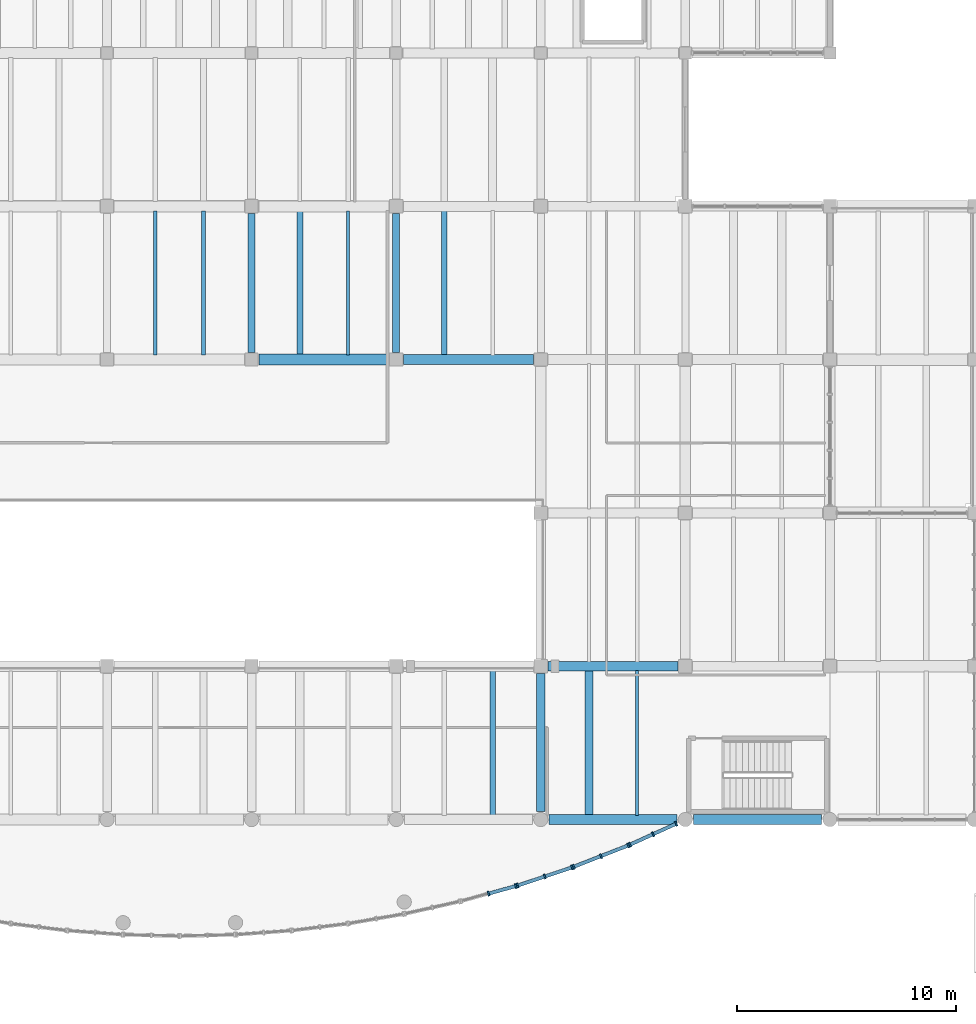
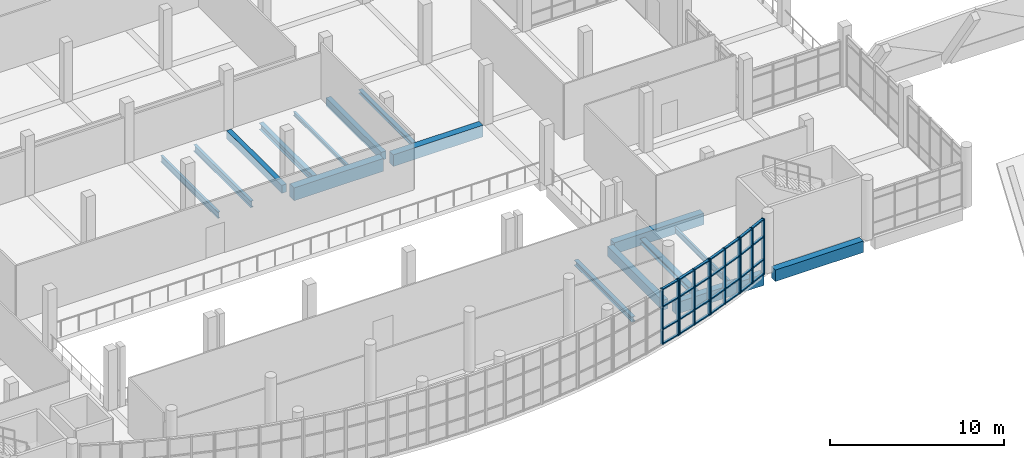
# One storey, part 13 of 67: 39 members, 16 beams, 4 elements without a shape of their own.
"""IFC4 building model written with IfcOpenShell, lengths in metres."""

from ifc_helpers import new_model, si_unit, direction, frame, origin, origin_2d, place, context, subcontext, project, spatial, rectangle, i_section, extrude, material, material_profile, profile_set, type_object, element, aggregate, save


model = new_model("IFC4")

# Units and contexts
model_context = context("Model", 3, precision=1e-05, world=origin(), true_north=direction((0.0, 1.0)))
body_context = subcontext(model_context, "Body", "Model", "MODEL_VIEW")
ifc_project = project(units=[si_unit("LENGTHUNIT", "METRE"), si_unit("AREAUNIT", "SQUARE_METRE"), si_unit("VOLUMEUNIT", "CUBIC_METRE"), si_unit("PLANEANGLEUNIT", "RADIAN"), si_unit("MASSUNIT", "GRAM", prefix="KILO")], contexts=[model_context])

# Site, building, storey
site_placement = place(None, origin())
site = spatial("IfcSite", under=ifc_project, at=site_placement, CompositionType="ELEMENT")
building_placement = place(site_placement, origin())
building = spatial("IfcBuilding", under=site, at=building_placement, Name="Ciguamira Faculty of Natural Sciences", CompositionType="ELEMENT")
storey_placement = place(building_placement, frame((0.0, 0.0, 8.39990234375)))
storey = spatial("IfcBuildingStorey", under=building, at=storey_placement, Name="L02", CompositionType="ELEMENT", Elevation=8.39990234375)

# Curtain wall, members
ifc_material_1 = material(Name="Anodized aluminium curtain wall", Category="aluminium")
curtain_wall_type_1 = type_object("IfcCurtainWallType", Name="CurtainWall_CW-08", PredefinedType="USERDEFINED", material=ifc_material_1)
curtain_wall_1_placement = place(storey_placement, origin())
curtain_wall_1 = element("IfcCurtainWall", 1, at=curtain_wall_1_placement, inside=storey, type_object=curtain_wall_type_1, Name="L02 south gallery curved curtain wall 15", ObjectType="UNITISED CURTAIN WALL", PredefinedType="USERDEFINED")
ifc_material_2 = material(Name="Anodized aluminium mullion", Category="aluminium")
ifc_material_profile_1 = material_profile(ifc_material_2, rectangle(XDim=0.080078125, YDim=0.219970703125, at=origin_2d()), Name="ALU-MUL-80X220")
ifc_profile_set_1 = profile_set([ifc_material_profile_1], Name="Anodized aluminium mullion")
member_type_1 = type_object("IfcMemberType", Name="CWMullion_CWM-03", PredefinedType="MULLION", material=ifc_profile_set_1)
member_1_placement = place(storey_placement, frame((101.11669921875, 6.618408203125, 0.0), z_axis=(0.0, 0.0, 1.0), x_axis=(0.963573286652, 0.267444426472, 0.0)))
member_1 = element("IfcMember", 2, at=member_1_placement, type_object=member_type_1, Name="CW-08 mullion 2", PredefinedType="MULLION", context=body_context, shape_type="SweptSolid", body=[
    extrude(rectangle(XDim=0.080078125, YDim=0.219970703125, at=origin_2d()), origin(), (0.0, 0.0, 1.0), 3.900146484375),
])
member_2_placement = place(storey_placement, frame((102.361572265625, 6.9638671875, 0.0), z_axis=(0.0, 0.0, 1.0), x_axis=(0.963573286652, 0.267444426472, 0.0)))
member_2 = element("IfcMember", 3, at=member_2_placement, type_object=member_type_1, Name="CW-08 mullion 3", PredefinedType="MULLION", context=body_context, shape_type="SweptSolid", body=[
    extrude(rectangle(XDim=0.080078125, YDim=0.219970703125, at=origin_2d()), origin(), (0.0, 0.0, 1.0), 3.900146484375),
])

curtain_wall_type_2 = type_object("IfcCurtainWallType", Name="CurtainWall_CW-09", PredefinedType="USERDEFINED", material=ifc_material_1)
curtain_wall_2_placement = place(storey_placement, origin())
curtain_wall_2 = element("IfcCurtainWall", 4, at=curtain_wall_2_placement, inside=storey, type_object=curtain_wall_type_2, Name="L02 south gallery curved curtain wall 16", ObjectType="UNITISED CURTAIN WALL", PredefinedType="USERDEFINED")
member_3_placement = place(storey_placement, frame((102.43798828125, 6.987060546875, 0.0), z_axis=(0.0, 0.0, 1.0), x_axis=(0.948735033862, 0.316072516242, 0.0)))
member_3 = element("IfcMember", 5, at=member_3_placement, type_object=member_type_1, Name="CW-09 mullion 1", PredefinedType="MULLION", context=body_context, shape_type="SweptSolid", body=[
    extrude(rectangle(XDim=0.080078125, YDim=0.219970703125, at=origin_2d()), origin(), (0.0, 0.0, 1.0), 3.900146484375),
])
member_4_placement = place(storey_placement, frame((103.683349609375, 7.402099609375, 0.0), z_axis=(0.0, 0.0, 1.0), x_axis=(0.948735033862, 0.316072516242, 0.0)))
member_4 = element("IfcMember", 6, at=member_4_placement, type_object=member_type_1, Name="CW-09 mullion 2", PredefinedType="MULLION", context=body_context, shape_type="SweptSolid", body=[
    extrude(rectangle(XDim=0.080078125, YDim=0.219970703125, at=origin_2d()), origin(), (0.0, 0.0, 1.0), 3.900146484375),
])
member_5_placement = place(storey_placement, frame((104.9287109375, 7.81689453125, 0.0), z_axis=(0.0, 0.0, 1.0), x_axis=(0.948735033862, 0.316072516242, 0.0)))
member_5 = element("IfcMember", 7, at=member_5_placement, type_object=member_type_1, Name="CW-09 mullion 3", PredefinedType="MULLION", context=body_context, shape_type="SweptSolid", body=[
    extrude(rectangle(XDim=0.080078125, YDim=0.219970703125, at=origin_2d()), origin(), (0.0, 0.0, 1.0), 3.900146484375),
])

curtain_wall_type_3 = type_object("IfcCurtainWallType", Name="CurtainWall_CW-10", PredefinedType="USERDEFINED", material=ifc_material_1)
curtain_wall_3_placement = place(storey_placement, origin())
curtain_wall_3 = element("IfcCurtainWall", 8, at=curtain_wall_3_placement, inside=storey, type_object=curtain_wall_type_3, Name="L02 south gallery curved curtain wall 17", ObjectType="UNITISED CURTAIN WALL", PredefinedType="USERDEFINED")
member_6_placement = place(storey_placement, frame((105.00390625, 7.84423828125, 0.0), z_axis=(0.0, 0.0, 1.0), x_axis=(0.931122296337, 0.36470710065, 0.0)))
member_6 = element("IfcMember", 9, at=member_6_placement, type_object=member_type_1, Name="CW-10 mullion 1", PredefinedType="MULLION", context=body_context, shape_type="SweptSolid", body=[
    extrude(rectangle(XDim=0.080078125, YDim=0.219970703125, at=origin_2d()), origin(), (0.0, 0.0, 1.0), 3.900146484375),
])
member_7_placement = place(storey_placement, frame((106.25, 8.332275390625, 0.0), z_axis=(0.0, 0.0, 1.0), x_axis=(0.931122296337, 0.36470710065, 0.0)))
member_7 = element("IfcMember", 10, at=member_7_placement, type_object=member_type_1, Name="CW-10 mullion 2", PredefinedType="MULLION", context=body_context, shape_type="SweptSolid", body=[
    extrude(rectangle(XDim=0.080078125, YDim=0.219970703125, at=origin_2d()), origin(), (0.0, 0.0, 1.0), 3.900146484375),
])
member_8_placement = place(storey_placement, frame((107.49609375, 8.8203125, 0.0), z_axis=(0.0, 0.0, 1.0), x_axis=(0.931122296337, 0.36470710065, 0.0)))
member_8 = element("IfcMember", 11, at=member_8_placement, type_object=member_type_1, Name="CW-10 mullion 3", PredefinedType="MULLION", context=body_context, shape_type="SweptSolid", body=[
    extrude(rectangle(XDim=0.080078125, YDim=0.219970703125, at=origin_2d()), origin(), (0.0, 0.0, 1.0), 3.900146484375),
])

curtain_wall_type_4 = type_object("IfcCurtainWallType", Name="CurtainWall_CW-11", PredefinedType="USERDEFINED", material=ifc_material_1)
curtain_wall_4_placement = place(storey_placement, origin())
curtain_wall_4 = element("IfcCurtainWall", 12, at=curtain_wall_4_placement, inside=storey, type_object=curtain_wall_type_4, Name="L02 south gallery curved curtain wall 18", ObjectType="UNITISED CURTAIN WALL", PredefinedType="USERDEFINED")
member_9_placement = place(storey_placement, frame((107.56982421875, 8.851318359375, 0.0), z_axis=(0.0, 0.0, 1.0), x_axis=(0.910580503774, 0.41333176281, 0.0)))
member_9 = element("IfcMember", 13, at=member_9_placement, type_object=member_type_1, Name="CW-11 mullion 1", PredefinedType="MULLION", context=body_context, shape_type="SweptSolid", body=[
    extrude(rectangle(XDim=0.080078125, YDim=0.219970703125, at=origin_2d()), origin(), (0.0, 0.0, 1.0), 3.900146484375),
])
member_10_placement = place(storey_placement, frame((108.62548828125, 9.33056640625, 0.0), z_axis=(0.0, 0.0, 1.0), x_axis=(0.910580503774, 0.41333176281, 0.0)))
member_10 = element("IfcMember", 14, at=member_10_placement, type_object=member_type_1, Name="CW-11 mullion 2", PredefinedType="MULLION", context=body_context, shape_type="SweptSolid", body=[
    extrude(rectangle(XDim=0.080078125, YDim=0.219970703125, at=origin_2d()), origin(), (0.0, 0.0, 1.0), 3.900146484375),
])
member_11_placement = place(storey_placement, frame((109.68115234375, 9.809814453125, 0.0), z_axis=(0.0, 0.0, 1.0), x_axis=(0.910580503774, 0.41333176281, 0.0)))
member_11 = element("IfcMember", 15, at=member_11_placement, type_object=member_type_1, Name="CW-11 mullion 3", PredefinedType="MULLION", context=body_context, shape_type="SweptSolid", body=[
    extrude(rectangle(XDim=0.080078125, YDim=0.219970703125, at=origin_2d()), origin(), (0.0, 0.0, 1.0), 3.900146484375),
])

# Member
ifc_material_3 = material(Name="Anodized aluminium transom", Category="aluminium")
ifc_material_profile_2 = material_profile(ifc_material_3, rectangle(XDim=0.080078125, YDim=0.159912109375, at=origin_2d()), Name="ALU-TRN-80X160")
ifc_profile_set_2 = profile_set([ifc_material_profile_2], Name="Anodized aluminium transom")
member_type_2 = type_object("IfcMemberType", Name="CWTransom_CWT-03", PredefinedType="USERDEFINED", material=ifc_profile_set_2)
member_12_placement = place(storey_placement, frame((101.1552734375, 6.62890625, 0.0400390625), z_axis=(0.963549650457, 0.267529570522, 0.0), x_axis=(0.0, 0.0, 1.0)))
member_12 = element("IfcMember", 16, at=member_12_placement, type_object=member_type_2, Name="CW-08 transom 2.1", ObjectType="TRANSOM", PredefinedType="USERDEFINED", context=body_context, shape_type="SweptSolid", body=[
    extrude(rectangle(XDim=0.080078125, YDim=0.159912109375, at=origin_2d()), origin(), (0.0, 0.0, 1.0), 1.2119140625),
])

member_13_placement = place(storey_placement, frame((101.1552734375, 6.62890625, 1.050048828125), z_axis=(0.963549650457, 0.267529570522, 0.0), x_axis=(0.0, 0.0, 1.0)))
member_13 = element("IfcMember", 17, at=member_13_placement, type_object=member_type_2, Name="CW-08 transom 2.2", ObjectType="TRANSOM", PredefinedType="USERDEFINED", context=body_context, shape_type="SweptSolid", body=[
    extrude(rectangle(XDim=0.080078125, YDim=0.159912109375, at=origin_2d()), origin(), (0.0, 0.0, 1.0), 1.2119140625),
])

member_14_placement = place(storey_placement, frame((101.1552734375, 6.62890625, 2.650146484375), z_axis=(0.963549650457, 0.267529570522, 0.0), x_axis=(0.0, 0.0, 1.0)))
member_14 = element("IfcMember", 18, at=member_14_placement, type_object=member_type_2, Name="CW-08 transom 2.3", ObjectType="TRANSOM", PredefinedType="USERDEFINED", context=body_context, shape_type="SweptSolid", body=[
    extrude(rectangle(XDim=0.080078125, YDim=0.159912109375, at=origin_2d()), origin(), (0.0, 0.0, 1.0), 1.2119140625),
])

member_15_placement = place(storey_placement, frame((101.1552734375, 6.62890625, 3.860107421875), z_axis=(0.963549650457, 0.267529570522, 0.0), x_axis=(0.0, 0.0, 1.0)))
member_15 = element("IfcMember", 19, at=member_15_placement, type_object=member_type_2, Name="CW-08 transom 2.4", ObjectType="TRANSOM", PredefinedType="USERDEFINED", context=body_context, shape_type="SweptSolid", body=[
    extrude(rectangle(XDim=0.080078125, YDim=0.159912109375, at=origin_2d()), origin(), (0.0, 0.0, 1.0), 1.2119140625),
])

aggregate(curtain_wall_1, [member_1, member_2, member_12, member_13, member_14, member_15])

member_16_placement = place(storey_placement, frame((102.475830078125, 6.999755859375, 0.0400390625), z_axis=(0.948742689117, 0.316049537013, 0.0), x_axis=(0.0, 0.0, 1.0)))
member_16 = element("IfcMember", 20, at=member_16_placement, type_object=member_type_2, Name="CW-09 transom 1.1", ObjectType="TRANSOM", PredefinedType="USERDEFINED", context=body_context, shape_type="SweptSolid", body=[
    extrude(rectangle(XDim=0.080078125, YDim=0.159912109375, at=origin_2d()), origin(), (0.0, 0.0, 1.0), 1.23291015625),
])

member_17_placement = place(storey_placement, frame((102.475830078125, 6.999755859375, 1.050048828125), z_axis=(0.948742689117, 0.316049537013, 0.0), x_axis=(0.0, 0.0, 1.0)))
member_17 = element("IfcMember", 21, at=member_17_placement, type_object=member_type_2, Name="CW-09 transom 1.2", ObjectType="TRANSOM", PredefinedType="USERDEFINED", context=body_context, shape_type="SweptSolid", body=[
    extrude(rectangle(XDim=0.080078125, YDim=0.159912109375, at=origin_2d()), origin(), (0.0, 0.0, 1.0), 1.23291015625),
])

member_18_placement = place(storey_placement, frame((102.475830078125, 6.999755859375, 2.650146484375), z_axis=(0.948742689117, 0.316049537013, 0.0), x_axis=(0.0, 0.0, 1.0)))
member_18 = element("IfcMember", 22, at=member_18_placement, type_object=member_type_2, Name="CW-09 transom 1.3", ObjectType="TRANSOM", PredefinedType="USERDEFINED", context=body_context, shape_type="SweptSolid", body=[
    extrude(rectangle(XDim=0.080078125, YDim=0.159912109375, at=origin_2d()), origin(), (0.0, 0.0, 1.0), 1.23291015625),
])

member_19_placement = place(storey_placement, frame((102.475830078125, 6.999755859375, 3.860107421875), z_axis=(0.948742689117, 0.316049537013, 0.0), x_axis=(0.0, 0.0, 1.0)))
member_19 = element("IfcMember", 23, at=member_19_placement, type_object=member_type_2, Name="CW-09 transom 1.4", ObjectType="TRANSOM", PredefinedType="USERDEFINED", context=body_context, shape_type="SweptSolid", body=[
    extrude(rectangle(XDim=0.080078125, YDim=0.159912109375, at=origin_2d()), origin(), (0.0, 0.0, 1.0), 1.23291015625),
])

member_20_placement = place(storey_placement, frame((103.72119140625, 7.414794921875, 0.0400390625), z_axis=(0.948802054129, 0.315871274543, 0.0), x_axis=(0.0, 0.0, 1.0)))
member_20 = element("IfcMember", 24, at=member_20_placement, type_object=member_type_2, Name="CW-09 transom 2.1", ObjectType="TRANSOM", PredefinedType="USERDEFINED", context=body_context, shape_type="SweptSolid", body=[
    extrude(rectangle(XDim=0.080078125, YDim=0.159912109375, at=origin_2d()), origin(), (0.0, 0.0, 1.0), 1.23291015625),
])

member_21_placement = place(storey_placement, frame((103.72119140625, 7.414794921875, 1.050048828125), z_axis=(0.948802054129, 0.315871274543, 0.0), x_axis=(0.0, 0.0, 1.0)))
member_21 = element("IfcMember", 25, at=member_21_placement, type_object=member_type_2, Name="CW-09 transom 2.2", ObjectType="TRANSOM", PredefinedType="USERDEFINED", context=body_context, shape_type="SweptSolid", body=[
    extrude(rectangle(XDim=0.080078125, YDim=0.159912109375, at=origin_2d()), origin(), (0.0, 0.0, 1.0), 1.23291015625),
])

member_22_placement = place(storey_placement, frame((103.72119140625, 7.414794921875, 2.650146484375), z_axis=(0.948802054129, 0.315871274543, 0.0), x_axis=(0.0, 0.0, 1.0)))
member_22 = element("IfcMember", 26, at=member_22_placement, type_object=member_type_2, Name="CW-09 transom 2.3", ObjectType="TRANSOM", PredefinedType="USERDEFINED", context=body_context, shape_type="SweptSolid", body=[
    extrude(rectangle(XDim=0.080078125, YDim=0.159912109375, at=origin_2d()), origin(), (0.0, 0.0, 1.0), 1.23291015625),
])

member_23_placement = place(storey_placement, frame((103.72119140625, 7.414794921875, 3.860107421875), z_axis=(0.948802054129, 0.315871274543, 0.0), x_axis=(0.0, 0.0, 1.0)))
member_23 = element("IfcMember", 27, at=member_23_placement, type_object=member_type_2, Name="CW-09 transom 2.4", ObjectType="TRANSOM", PredefinedType="USERDEFINED", context=body_context, shape_type="SweptSolid", body=[
    extrude(rectangle(XDim=0.080078125, YDim=0.159912109375, at=origin_2d()), origin(), (0.0, 0.0, 1.0), 1.23291015625),
])

aggregate(curtain_wall_2, [member_3, member_4, member_5, member_16, member_17, member_18, member_19, member_20, member_21, member_22, member_23])

member_24_placement = place(storey_placement, frame((105.041259765625, 7.85888671875, 0.0400390625), z_axis=(0.931142528587, 0.364655442104, 0.0), x_axis=(0.0, 0.0, 1.0)))
member_24 = element("IfcMember", 28, at=member_24_placement, type_object=member_type_2, Name="CW-10 transom 1.1", ObjectType="TRANSOM", PredefinedType="USERDEFINED", context=body_context, shape_type="SweptSolid", body=[
    extrude(rectangle(XDim=0.080078125, YDim=0.159912109375, at=origin_2d()), origin(), (0.0, 0.0, 1.0), 1.258056640625),
])

member_25_placement = place(storey_placement, frame((105.041259765625, 7.85888671875, 1.050048828125), z_axis=(0.931142528587, 0.364655442104, 0.0), x_axis=(0.0, 0.0, 1.0)))
member_25 = element("IfcMember", 29, at=member_25_placement, type_object=member_type_2, Name="CW-10 transom 1.2", ObjectType="TRANSOM", PredefinedType="USERDEFINED", context=body_context, shape_type="SweptSolid", body=[
    extrude(rectangle(XDim=0.080078125, YDim=0.159912109375, at=origin_2d()), origin(), (0.0, 0.0, 1.0), 1.258056640625),
])

member_26_placement = place(storey_placement, frame((105.041259765625, 7.85888671875, 2.650146484375), z_axis=(0.931142528587, 0.364655442104, 0.0), x_axis=(0.0, 0.0, 1.0)))
member_26 = element("IfcMember", 30, at=member_26_placement, type_object=member_type_2, Name="CW-10 transom 1.3", ObjectType="TRANSOM", PredefinedType="USERDEFINED", context=body_context, shape_type="SweptSolid", body=[
    extrude(rectangle(XDim=0.080078125, YDim=0.159912109375, at=origin_2d()), origin(), (0.0, 0.0, 1.0), 1.258056640625),
])

member_27_placement = place(storey_placement, frame((105.041259765625, 7.85888671875, 3.860107421875), z_axis=(0.931142528587, 0.364655442104, 0.0), x_axis=(0.0, 0.0, 1.0)))
member_27 = element("IfcMember", 31, at=member_27_placement, type_object=member_type_2, Name="CW-10 transom 1.4", ObjectType="TRANSOM", PredefinedType="USERDEFINED", context=body_context, shape_type="SweptSolid", body=[
    extrude(rectangle(XDim=0.080078125, YDim=0.159912109375, at=origin_2d()), origin(), (0.0, 0.0, 1.0), 1.258056640625),
])

member_28_placement = place(storey_placement, frame((106.287353515625, 8.346923828125, 0.0400390625), z_axis=(0.931142528587, 0.364655442104, 0.0), x_axis=(0.0, 0.0, 1.0)))
member_28 = element("IfcMember", 32, at=member_28_placement, type_object=member_type_2, Name="CW-10 transom 2.1", ObjectType="TRANSOM", PredefinedType="USERDEFINED", context=body_context, shape_type="SweptSolid", body=[
    extrude(rectangle(XDim=0.080078125, YDim=0.159912109375, at=origin_2d()), origin(), (0.0, 0.0, 1.0), 1.258056640625),
])

member_29_placement = place(storey_placement, frame((106.287353515625, 8.346923828125, 1.050048828125), z_axis=(0.931142528587, 0.364655442104, 0.0), x_axis=(0.0, 0.0, 1.0)))
member_29 = element("IfcMember", 33, at=member_29_placement, type_object=member_type_2, Name="CW-10 transom 2.2", ObjectType="TRANSOM", PredefinedType="USERDEFINED", context=body_context, shape_type="SweptSolid", body=[
    extrude(rectangle(XDim=0.080078125, YDim=0.159912109375, at=origin_2d()), origin(), (0.0, 0.0, 1.0), 1.258056640625),
])

member_30_placement = place(storey_placement, frame((106.287353515625, 8.346923828125, 2.650146484375), z_axis=(0.931142528587, 0.364655442104, 0.0), x_axis=(0.0, 0.0, 1.0)))
member_30 = element("IfcMember", 34, at=member_30_placement, type_object=member_type_2, Name="CW-10 transom 2.3", ObjectType="TRANSOM", PredefinedType="USERDEFINED", context=body_context, shape_type="SweptSolid", body=[
    extrude(rectangle(XDim=0.080078125, YDim=0.159912109375, at=origin_2d()), origin(), (0.0, 0.0, 1.0), 1.258056640625),
])

member_31_placement = place(storey_placement, frame((106.287353515625, 8.346923828125, 3.860107421875), z_axis=(0.931142528587, 0.364655442104, 0.0), x_axis=(0.0, 0.0, 1.0)))
member_31 = element("IfcMember", 35, at=member_31_placement, type_object=member_type_2, Name="CW-10 transom 2.4", ObjectType="TRANSOM", PredefinedType="USERDEFINED", context=body_context, shape_type="SweptSolid", body=[
    extrude(rectangle(XDim=0.080078125, YDim=0.159912109375, at=origin_2d()), origin(), (0.0, 0.0, 1.0), 1.258056640625),
])

aggregate(curtain_wall_3, [member_6, member_7, member_8, member_24, member_25, member_26, member_27, member_28, member_29, member_30, member_31])

member_32_placement = place(storey_placement, frame((107.606201171875, 8.867919921875, 0.0400390625), z_axis=(0.910536797913, 0.413428034422, 0.0), x_axis=(0.0, 0.0, 1.0)))
member_32 = element("IfcMember", 36, at=member_32_placement, type_object=member_type_2, Name="CW-11 transom 1.1", ObjectType="TRANSOM", PredefinedType="USERDEFINED", context=body_context, shape_type="SweptSolid", body=[
    extrude(rectangle(XDim=0.080078125, YDim=0.159912109375, at=origin_2d()), origin(), (0.0, 0.0, 1.0), 1.07958984375),
])

member_33_placement = place(storey_placement, frame((107.606201171875, 8.867919921875, 1.050048828125), z_axis=(0.910536797913, 0.413428034422, 0.0), x_axis=(0.0, 0.0, 1.0)))
member_33 = element("IfcMember", 37, at=member_33_placement, type_object=member_type_2, Name="CW-11 transom 1.2", ObjectType="TRANSOM", PredefinedType="USERDEFINED", context=body_context, shape_type="SweptSolid", body=[
    extrude(rectangle(XDim=0.080078125, YDim=0.159912109375, at=origin_2d()), origin(), (0.0, 0.0, 1.0), 1.07958984375),
])

member_34_placement = place(storey_placement, frame((107.606201171875, 8.867919921875, 2.650146484375), z_axis=(0.910536797913, 0.413428034422, 0.0), x_axis=(0.0, 0.0, 1.0)))
member_34 = element("IfcMember", 38, at=member_34_placement, type_object=member_type_2, Name="CW-11 transom 1.3", ObjectType="TRANSOM", PredefinedType="USERDEFINED", context=body_context, shape_type="SweptSolid", body=[
    extrude(rectangle(XDim=0.080078125, YDim=0.159912109375, at=origin_2d()), origin(), (0.0, 0.0, 1.0), 1.07958984375),
])

member_35_placement = place(storey_placement, frame((107.606201171875, 8.867919921875, 3.860107421875), z_axis=(0.910536797913, 0.413428034422, 0.0), x_axis=(0.0, 0.0, 1.0)))
member_35 = element("IfcMember", 39, at=member_35_placement, type_object=member_type_2, Name="CW-11 transom 1.4", ObjectType="TRANSOM", PredefinedType="USERDEFINED", context=body_context, shape_type="SweptSolid", body=[
    extrude(rectangle(XDim=0.080078125, YDim=0.159912109375, at=origin_2d()), origin(), (0.0, 0.0, 1.0), 1.07958984375),
])

member_36_placement = place(storey_placement, frame((108.661865234375, 9.34716796875, 0.0400390625), z_axis=(0.910621924114, 0.413240500585, 0.0), x_axis=(0.0, 0.0, 1.0)))
member_36 = element("IfcMember", 40, at=member_36_placement, type_object=member_type_2, Name="CW-11 transom 2.1", ObjectType="TRANSOM", PredefinedType="USERDEFINED", context=body_context, shape_type="SweptSolid", body=[
    extrude(rectangle(XDim=0.080078125, YDim=0.159912109375, at=origin_2d()), origin(), (0.0, 0.0, 1.0), 1.079345703125),
])

member_37_placement = place(storey_placement, frame((108.661865234375, 9.34716796875, 1.050048828125), z_axis=(0.910621924114, 0.413240500585, 0.0), x_axis=(0.0, 0.0, 1.0)))
member_37 = element("IfcMember", 41, at=member_37_placement, type_object=member_type_2, Name="CW-11 transom 2.2", ObjectType="TRANSOM", PredefinedType="USERDEFINED", context=body_context, shape_type="SweptSolid", body=[
    extrude(rectangle(XDim=0.080078125, YDim=0.159912109375, at=origin_2d()), origin(), (0.0, 0.0, 1.0), 1.079345703125),
])

member_38_placement = place(storey_placement, frame((108.661865234375, 9.34716796875, 2.650146484375), z_axis=(0.910621924114, 0.413240500585, 0.0), x_axis=(0.0, 0.0, 1.0)))
member_38 = element("IfcMember", 42, at=member_38_placement, type_object=member_type_2, Name="CW-11 transom 2.3", ObjectType="TRANSOM", PredefinedType="USERDEFINED", context=body_context, shape_type="SweptSolid", body=[
    extrude(rectangle(XDim=0.080078125, YDim=0.159912109375, at=origin_2d()), origin(), (0.0, 0.0, 1.0), 1.079345703125),
])

member_39_placement = place(storey_placement, frame((108.661865234375, 9.34716796875, 3.860107421875), z_axis=(0.910621924114, 0.413240500585, 0.0), x_axis=(0.0, 0.0, 1.0)))
member_39 = element("IfcMember", 43, at=member_39_placement, type_object=member_type_2, Name="CW-11 transom 2.4", ObjectType="TRANSOM", PredefinedType="USERDEFINED", context=body_context, shape_type="SweptSolid", body=[
    extrude(rectangle(XDim=0.080078125, YDim=0.159912109375, at=origin_2d()), origin(), (0.0, 0.0, 1.0), 1.079345703125),
])

aggregate(curtain_wall_4, [member_9, member_10, member_11, member_32, member_33, member_34, member_35, member_36, member_37, member_38, member_39])

# Beams
ifc_material_4 = material(Name="Concrete C40/50", Category="concrete")
ifc_material_profile_3 = material_profile(ifc_material_4, rectangle(XDim=0.5, YDim=0.89990234375, at=origin_2d()), Name="RC-BM-500X900")
ifc_profile_set_3 = profile_set([ifc_material_profile_3], Name="Concrete C40/50")
beam_type_1 = type_object("IfcBeamType", Name="RCBeam_BG-03_RC-BM-500X900", PredefinedType="BEAM", material=ifc_profile_set_3)
beam_1_placement = place(storey_placement, frame((90.625, 31.0, -0.449951171875), z_axis=(1.0, 0.0, 0.0), x_axis=(0.0, 1.0, 0.0)))
element("IfcBeam", 44, at=beam_1_placement, inside=storey, type_object=beam_type_1, Name="L02 RC girder EW-0767", PredefinedType="BEAM", context=body_context, shape_type="SweptSolid", body=[
    extrude(rectangle(XDim=0.5, YDim=0.89990234375, at=origin_2d()), origin(), (0.0, 0.0, 1.0), 5.949951171875),
])
ifc_material_profile_4 = material_profile(ifc_material_4, rectangle(XDim=0.4599609375, YDim=0.820068359375, at=origin_2d()), Name="RC-BM-460X820")
ifc_profile_set_4 = profile_set([ifc_material_profile_4], Name="Concrete C40/50")
beam_type_2 = type_object("IfcBeamType", Name="RCBeam_BG-04_RC-BM-460X820", PredefinedType="BEAM", material=ifc_profile_set_4)
beam_2_placement = place(storey_placement, frame((97.22509765625, 31.0, -0.409912109375), z_axis=(1.0, 0.0, 0.0), x_axis=(0.0, 1.0, 0.0)))
element("IfcBeam", 45, at=beam_2_placement, inside=storey, type_object=beam_type_2, Name="L02 RC girder EW-0768", PredefinedType="BEAM", context=body_context, shape_type="SweptSolid", body=[
    extrude(rectangle(XDim=0.4599609375, YDim=0.820068359375, at=origin_2d()), origin(), (0.0, 0.0, 1.0), 5.949951171875),
])
ifc_material_profile_5 = material_profile(ifc_material_4, rectangle(XDim=0.449951171875, YDim=0.800048828125, at=origin_2d()), Name="RC-BM-450X800")
ifc_profile_set_5 = profile_set([ifc_material_profile_5], Name="Concrete C40/50")
beam_type_3 = type_object("IfcBeamType", Name="RCBeam_BG-05_RC-BM-450X800", PredefinedType="BEAM", material=ifc_profile_set_5)
beam_3_placement = place(storey_placement, frame((103.875, 10.0, -0.39990234375), z_axis=(1.0, 0.0, 0.0), x_axis=(0.0, 1.0, 0.0)))
element("IfcBeam", 46, at=beam_3_placement, inside=storey, type_object=beam_type_3, Name="L02 RC girder EW-0727", PredefinedType="BEAM", context=body_context, shape_type="SweptSolid", body=[
    extrude(rectangle(XDim=0.449951171875, YDim=0.800048828125, at=origin_2d()), origin(), (0.0, 0.0, 1.0), 5.85009765625),
])
beam_4_placement = place(storey_placement, frame((110.47509765625, 10.0, -0.39990234375), z_axis=(1.0, 0.0, 0.0), x_axis=(0.0, 1.0, 0.0)))
element("IfcBeam", 47, at=beam_4_placement, inside=storey, type_object=beam_type_3, Name="L02 RC girder EW-0728", PredefinedType="BEAM", context=body_context, shape_type="SweptSolid", body=[
    extrude(rectangle(XDim=0.449951171875, YDim=0.800048828125, at=origin_2d()), origin(), (0.0, 0.0, 1.0), 5.849853515625),
])
beam_5_placement = place(storey_placement, frame((103.824951171875, 17.0, -0.39990234375), z_axis=(1.0, 0.0, 0.0), x_axis=(0.0, 1.0, 0.0)))
element("IfcBeam", 48, at=beam_5_placement, inside=storey, type_object=beam_type_3, Name="L02 RC girder EW-0745", PredefinedType="BEAM", context=body_context, shape_type="SweptSolid", body=[
    extrude(rectangle(XDim=0.449951171875, YDim=0.800048828125, at=origin_2d()), origin(), (0.0, 0.0, 1.0), 5.949951171875),
])
ifc_material_profile_6 = material_profile(ifc_material_4, rectangle(XDim=0.3798828125, YDim=0.679931640625, at=origin_2d()), Name="RC-BM-380X680")
ifc_profile_set_6 = profile_set([ifc_material_profile_6], Name="Concrete C40/50")
beam_type_4 = type_object("IfcBeamType", Name="RCBeam_BG-09_RC-BM-380X680", PredefinedType="BEAM", material=ifc_profile_set_6)
beam_6_placement = place(storey_placement, frame((103.5, 10.375, -0.33984375), z_axis=(0.0, 1.0, 0.0), x_axis=(-1.0, 0.0, 0.0)))
element("IfcBeam", 49, at=beam_6_placement, inside=storey, type_object=beam_type_4, Name="L02 girder NS-0975", PredefinedType="BEAM", context=body_context, shape_type="SweptSolid", body=[
    extrude(rectangle(XDim=0.3798828125, YDim=0.679931640625, at=origin_2d()), origin(), (0.0, 0.0, 1.0), 6.300048828125),
])
ifc_material_profile_7 = material_profile(ifc_material_4, rectangle(XDim=0.320068359375, YDim=0.56005859375, at=origin_2d()), Name="RC-BM-320X560")
ifc_profile_set_7 = profile_set([ifc_material_profile_7], Name="Concrete C40/50")
beam_type_5 = type_object("IfcBeamType", Name="RCBeam_BG-12_RC-BM-320X560", PredefinedType="BEAM", material=ifc_profile_set_7)
for number, where, z_axis, x_axis, name in (
    (50, (90.300048828125, 31.324951171875, -0.27978515625), (0.0, 1.0, 0.0), (-1.0, 0.0, 0.0), "L02 girder NS-0955"),
    (51, (96.89990234375, 31.324951171875, -0.27978515625), (0.0, 1.0, 0.0), (-1.0, 0.0, 0.0), "L02 girder NS-0966"),
):
    element("IfcBeam", number, at=place(storey_placement, frame(where, z_axis=z_axis, x_axis=x_axis)), inside=storey, type_object=beam_type_5, Name=name, PredefinedType="BEAM", context=body_context, shape_type="SweptSolid", body=[
        extrude(rectangle(XDim=0.320068359375, YDim=0.56005859375, at=origin_2d()), origin(), (0.0, 0.0, 1.0), 6.35009765625),
    ])
ifc_material_5 = material(Name="Steel ASTM A992 Grade 50", Category="steel")
ifc_material_profile_8 = material_profile(ifc_material_5, i_section(OverallWidth=0.14599609375, OverallDepth=0.259033203125, WebThickness=0.006103515625, FlangeThickness=0.009033203125, at=origin_2d()), Name="W10X22")
ifc_profile_set_8 = profile_set([ifc_material_profile_8], Name="Steel ASTM A992 Grade 50")
beam_type_6 = type_object("IfcBeamType", Name="SteelJoist_SJ-01_W10X22", PredefinedType="JOIST", material=ifc_profile_set_8)
beam_7_placement = place(storey_placement, frame((94.699951171875, 31.2099609375, -0.429443359375), z_axis=(0.0, 1.0, 0.0), x_axis=(-1.0, 0.0, 0.0)))
element("IfcBeam", 52, at=beam_7_placement, inside=storey, type_object=beam_type_6, Name="L02 composite steel joist 00844", PredefinedType="JOIST", context=body_context, shape_type="SweptSolid", body=[
    extrude(i_section(OverallWidth=0.14599609375, OverallDepth=0.259033203125, WebThickness=0.006103515625, FlangeThickness=0.009033203125, at=origin_2d()), origin(), (0.0, 0.0, 1.0), 6.580078125),
])
ifc_material_profile_9 = material_profile(ifc_material_5, i_section(OverallWidth=0.25390625, OverallDepth=0.25390625, WebThickness=0.008544921875, FlangeThickness=0.01416015625, at=origin_2d()), Name="W10X49")
ifc_profile_set_9 = profile_set([ifc_material_profile_9], Name="Steel ASTM A992 Grade 50")
beam_type_7 = type_object("IfcBeamType", Name="SteelJoist_SJ-03_W10X49", PredefinedType="JOIST", material=ifc_profile_set_9)
beam_8_placement = place(storey_placement, frame((99.10009765625, 31.18994140625, -0.427001953125), z_axis=(0.0, 1.0, 0.0), x_axis=(-1.0, 0.0, 0.0)))
element("IfcBeam", 53, at=beam_8_placement, inside=storey, type_object=beam_type_7, Name="L02 composite steel joist 00869", PredefinedType="JOIST", context=body_context, shape_type="SweptSolid", body=[
    extrude(i_section(OverallWidth=0.25390625, OverallDepth=0.25390625, WebThickness=0.008544921875, FlangeThickness=0.01416015625, at=origin_2d()), origin(), (0.0, 0.0, 1.0), 6.6201171875),
])
ifc_material_profile_10 = material_profile(ifc_material_5, i_section(OverallWidth=0.25390625, OverallDepth=0.355712890625, WebThickness=0.010498046875, FlangeThickness=0.018310546875, at=origin_2d()), Name="W14X68")
ifc_profile_set_10 = profile_set([ifc_material_profile_10], Name="Steel ASTM A992 Grade 50")
beam_type_8 = type_object("IfcBeamType", Name="SteelJoist_SJ-14_W14X68", PredefinedType="JOIST", material=ifc_profile_set_10)
beam_9_placement = place(storey_placement, frame((101.300048828125, 10.18994140625, -0.477783203125), z_axis=(0.0, 1.0, 0.0), x_axis=(-1.0, 0.0, 0.0)))
element("IfcBeam", 54, at=beam_9_placement, inside=storey, type_object=beam_type_8, Name="L02 composite steel joist 00868", PredefinedType="JOIST", context=body_context, shape_type="SweptSolid", body=[
    extrude(i_section(OverallWidth=0.25390625, OverallDepth=0.355712890625, WebThickness=0.010498046875, FlangeThickness=0.018310546875, at=origin_2d()), origin(), (0.0, 0.0, 1.0), 6.6201171875),
])
ifc_material_profile_11 = material_profile(ifc_material_5, i_section(OverallWidth=0.368408203125, OverallDepth=0.355712890625, WebThickness=0.01123046875, FlangeThickness=0.01806640625, at=origin_2d()), Name="W14X90")
ifc_profile_set_11 = profile_set([ifc_material_profile_11], Name="Steel ASTM A992 Grade 50")
beam_type_9 = type_object("IfcBeamType", Name="SteelJoist_SJ-16_W14X90", PredefinedType="JOIST", material=ifc_profile_set_11)
beam_10_placement = place(storey_placement, frame((105.699951171875, 10.18505859375, -0.477783203125), z_axis=(0.0, 1.0, 0.0), x_axis=(-1.0, 0.0, 0.0)))
element("IfcBeam", 55, at=beam_10_placement, inside=storey, type_object=beam_type_9, Name="L02 composite steel joist 00892", PredefinedType="JOIST", context=body_context, shape_type="SweptSolid", body=[
    extrude(i_section(OverallWidth=0.368408203125, OverallDepth=0.355712890625, WebThickness=0.01123046875, FlangeThickness=0.01806640625, at=origin_2d()), origin(), (0.0, 0.0, 1.0), 6.6298828125),
])
ifc_material_profile_12 = material_profile(ifc_material_5, i_section(OverallWidth=0.140380859375, OverallDepth=0.40380859375, WebThickness=0.007080078125, FlangeThickness=0.01123046875, at=origin_2d()), Name="W16X31")
ifc_profile_set_12 = profile_set([ifc_material_profile_12], Name="Steel ASTM A992 Grade 50")
beam_type_10 = type_object("IfcBeamType", Name="SteelJoist_SJ-17_W16X31", PredefinedType="JOIST", material=ifc_profile_set_12)
beam_11_placement = place(storey_placement, frame((107.89990234375, 10.18505859375, -0.501708984375), z_axis=(0.0, 1.0, 0.0), x_axis=(-1.0, 0.0, 0.0)))
element("IfcBeam", 56, at=beam_11_placement, inside=storey, type_object=beam_type_10, Name="L02 composite steel joist 00893", PredefinedType="JOIST", context=body_context, shape_type="SweptSolid", body=[
    extrude(i_section(OverallWidth=0.140380859375, OverallDepth=0.40380859375, WebThickness=0.007080078125, FlangeThickness=0.01123046875, at=origin_2d()), origin(), (0.0, 0.0, 1.0), 6.6298828125),
])
ifc_material_profile_13 = material_profile(ifc_material_5, i_section(OverallWidth=0.15283203125, OverallDepth=0.45458984375, WebThickness=0.008056640625, FlangeThickness=0.013427734375, at=origin_2d()), Name="W18X40")
ifc_profile_set_13 = profile_set([ifc_material_profile_13], Name="Steel ASTM A992 Grade 50")
beam_type_11 = type_object("IfcBeamType", Name="SteelJoist_SJ-22_W18X40", PredefinedType="JOIST", material=ifc_profile_set_13)
beam_12_placement = place(storey_placement, frame((85.89990234375, 31.2099609375, -0.527099609375), z_axis=(0.0, 1.0, 0.0), x_axis=(-1.0, 0.0, 0.0)))
element("IfcBeam", 57, at=beam_12_placement, inside=storey, type_object=beam_type_11, Name="L02 composite steel joist 00818", PredefinedType="JOIST", context=body_context, shape_type="SweptSolid", body=[
    extrude(i_section(OverallWidth=0.15283203125, OverallDepth=0.45458984375, WebThickness=0.008056640625, FlangeThickness=0.013427734375, at=origin_2d()), origin(), (0.0, 0.0, 1.0), 6.580078125),
])
ifc_material_profile_14 = material_profile(ifc_material_5, i_section(OverallWidth=0.1904296875, OverallDepth=0.457275390625, WebThickness=0.009033203125, FlangeThickness=0.014404296875, at=origin_2d()), Name="W18X50")
ifc_profile_set_14 = profile_set([ifc_material_profile_14], Name="Steel ASTM A992 Grade 50")
beam_type_12 = type_object("IfcBeamType", Name="SteelJoist_SJ-23_W18X50", PredefinedType="JOIST", material=ifc_profile_set_14)
beam_13_placement = place(storey_placement, frame((88.10009765625, 31.2099609375, -0.528564453125), z_axis=(0.0, 1.0, 0.0), x_axis=(-1.0, 0.0, 0.0)))
element("IfcBeam", 58, at=beam_13_placement, inside=storey, type_object=beam_type_12, Name="L02 composite steel joist 00819", PredefinedType="JOIST", context=body_context, shape_type="SweptSolid", body=[
    extrude(i_section(OverallWidth=0.1904296875, OverallDepth=0.457275390625, WebThickness=0.009033203125, FlangeThickness=0.014404296875, at=origin_2d()), origin(), (0.0, 0.0, 1.0), 6.580078125),
])
ifc_material_profile_15 = material_profile(ifc_material_5, i_section(OverallWidth=0.279296875, OverallDepth=0.462158203125, WebThickness=0.0107421875, FlangeThickness=0.017333984375, at=origin_2d()), Name="W18X76")
ifc_profile_set_15 = profile_set([ifc_material_profile_15], Name="Steel ASTM A992 Grade 50")
beam_type_13 = type_object("IfcBeamType", Name="SteelJoist_SJ-25_W18X76", PredefinedType="JOIST", material=ifc_profile_set_15)
beam_14_placement = place(storey_placement, frame((92.5, 31.2099609375, -0.531005859375), z_axis=(0.0, 1.0, 0.0), x_axis=(-1.0, 0.0, 0.0)))
element("IfcBeam", 59, at=beam_14_placement, inside=storey, type_object=beam_type_13, Name="L02 composite steel joist 00843", PredefinedType="JOIST", context=body_context, shape_type="SweptSolid", body=[
    extrude(i_section(OverallWidth=0.279296875, OverallDepth=0.462158203125, WebThickness=0.0107421875, FlangeThickness=0.017333984375, at=origin_2d()), origin(), (0.0, 0.0, 1.0), 6.580078125),
])

save(model, "model.ifc")
